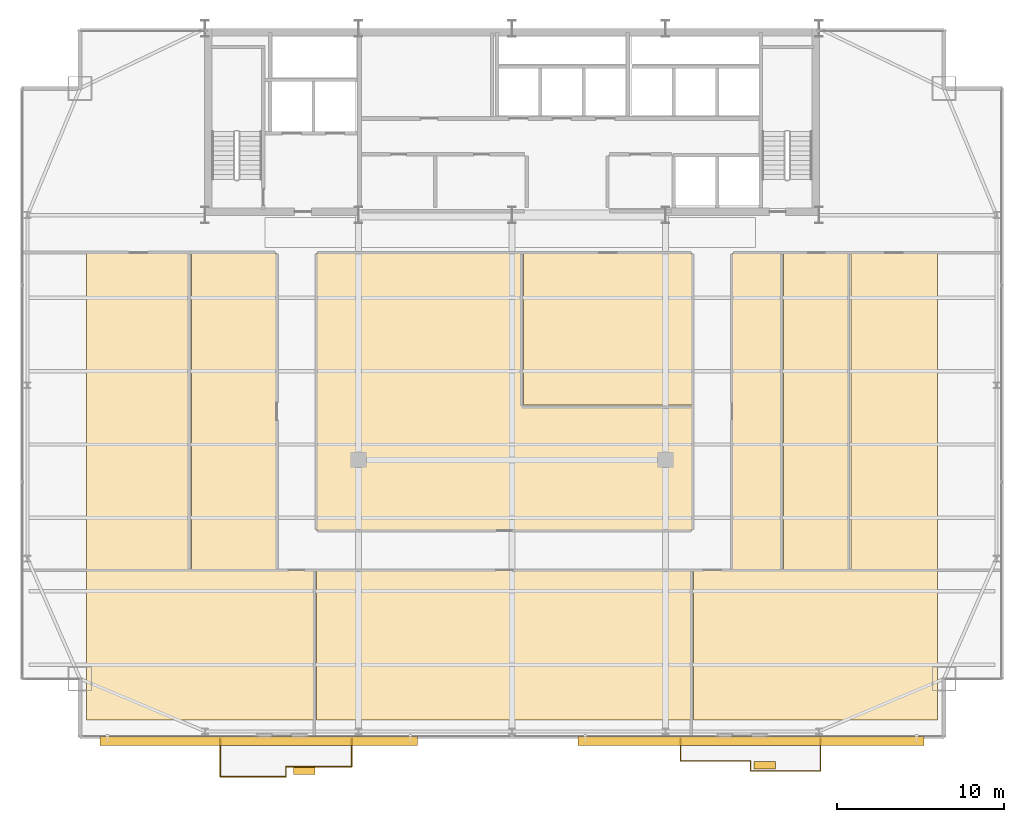
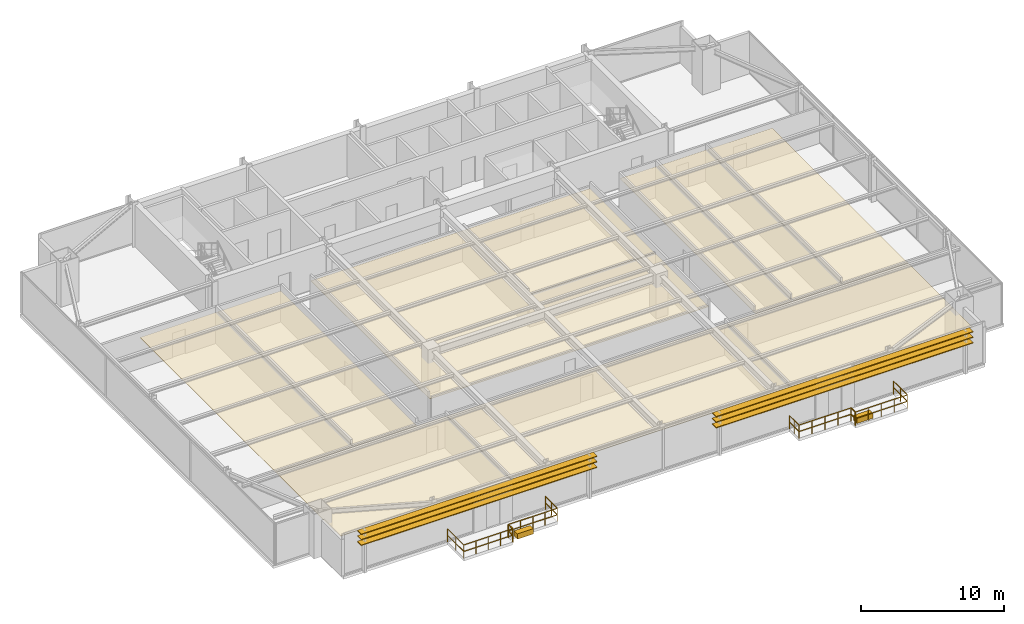
# One storey, part 31 of 32: 12 coverings, 10 railings, 6 shading devices.
"""IFC4 building model written with IfcOpenShell, lengths in metres."""

from ifc_helpers import new_model, si_unit, direction, frame, origin, origin_2d, place, context, subcontext, project, spatial, polyline, rectangle, outline, extrude, source, transform, mapped, material, layer, layer_set, type_object, type_shapes, element, save


model = new_model("IFC4")

# Units and contexts
model_context = context("Model", 3, precision=1e-05, world=origin(), true_north=direction((0.0, 1.0)))
body_context = subcontext(model_context, "Body", "Model", "MODEL_VIEW")
ifc_project = project(units=[si_unit("LENGTHUNIT", "METRE"), si_unit("AREAUNIT", "SQUARE_METRE"), si_unit("VOLUMEUNIT", "CUBIC_METRE"), si_unit("PLANEANGLEUNIT", "RADIAN"), si_unit("MASSUNIT", "GRAM", prefix="KILO")], contexts=[model_context])

# Site, building, storey
site_placement = place(None, origin())
site = spatial("IfcSite", under=ifc_project, at=site_placement, CompositionType="ELEMENT")
building_placement = place(site_placement, origin())
building = spatial("IfcBuilding", under=site, at=building_placement, Name="Varnel Quay Broadcast Tower", CompositionType="ELEMENT")
storey_placement = place(building_placement, frame((0.0, 0.0, 133.39990234375)))
storey = spatial("IfcBuildingStorey", under=building, at=storey_placement, Name="L32", CompositionType="ELEMENT", Elevation=133.39990234375)

# Coverings
ifc_material_1 = material(Name="Micro-Perforated Acoustic Ceiling Tile")
ifc_layer_1 = layer(ifc_material_1, 0.0400390625, Name="Micro-Perforated Acoustic Ceiling Tile")
ifc_layer_set_1 = layer_set([ifc_layer_1], Name="Micro-Perforated Acoustic Ceiling Tile")
covering_type_1 = type_object("IfcCoveringType", Name="Cov_AcousticCeiling", PredefinedType="CEILING", material=ifc_layer_set_1)
covering_1_placement = place(storey_placement, frame((0.0, 0.0, 2.580078125)))
element("IfcCovering", 1, at=covering_1_placement, inside=storey, type_object=covering_type_1, Name="L32 Bureau Office 1 Acoustic Ceiling", PredefinedType="CEILING", context=body_context, shape_type="SweptSolid", body=[
    extrude(outline(polyline([(8.485107421875, 5.324951171875), (22.215087890625, 5.324951171875), (22.215087890625, 14.284912109375), (8.485107421875, 14.284912109375), (8.485107421875, 5.324951171875)])), origin(), (0.0, 0.0, 1.0), 0.0400390625),
])
covering_2_placement = place(storey_placement, frame((0.0, 0.0, 2.580078125)))
element("IfcCovering", 2, at=covering_2_placement, inside=storey, type_object=covering_type_1, Name="L32 Reading Lounge 2 Acoustic Ceiling", PredefinedType="CEILING", context=body_context, shape_type="SweptSolid", body=[
    extrude(outline(polyline([(22.284912109375, 5.324951171875), (44.804931640625, 5.324951171875), (44.804931640625, 14.284912109375), (22.284912109375, 14.284912109375), (22.284912109375, 5.324951171875)])), origin(), (0.0, 0.0, 1.0), 0.0400390625),
])
covering_3_placement = place(storey_placement, frame((0.0, 0.0, 2.580078125)))
element("IfcCovering", 3, at=covering_3_placement, inside=storey, type_object=covering_type_1, Name="L32 Broadcast Seminar Room 3 Acoustic Ceiling", PredefinedType="CEILING", context=body_context, shape_type="SweptSolid", body=[
    extrude(outline(polyline([(44.875, 5.324951171875), (59.514892578125, 5.324951171875), (59.514892578125, 14.284912109375), (44.875, 14.284912109375), (44.875, 5.324951171875)])), origin(), (0.0, 0.0, 1.0), 0.0400390625),
])
covering_4_placement = place(storey_placement, frame((0.0, 0.0, 2.580078125)))
element("IfcCovering", 4, at=covering_4_placement, inside=storey, type_object=covering_type_1, Name="L32 Press Briefing Room 4 Acoustic Ceiling", PredefinedType="CEILING", context=body_context, shape_type="SweptSolid", body=[
    extrude(outline(polyline([(8.485107421875, 14.35498046875), (14.705078125, 14.35498046875), (14.705078125, 33.31494140625), (8.485107421875, 33.31494140625), (8.485107421875, 14.35498046875)])), origin(), (0.0, 0.0, 1.0), 0.0400390625),
])
covering_5_placement = place(storey_placement, frame((0.0, 0.0, 2.580078125)))
element("IfcCovering", 5, at=covering_5_placement, inside=storey, type_object=covering_type_1, Name="L32 Editorial Huddle Room 5 Acoustic Ceiling", PredefinedType="CEILING", context=body_context, shape_type="SweptSolid", body=[
    extrude(outline(polyline([(14.77490234375, 14.35498046875), (19.864990234375, 14.35498046875), (19.864990234375, 33.31494140625), (14.77490234375, 33.31494140625), (14.77490234375, 14.35498046875)])), origin(), (0.0, 0.0, 1.0), 0.0400390625),
])
covering_6_placement = place(storey_placement, frame((0.0, 0.0, 2.580078125)))
element("IfcCovering", 6, at=covering_6_placement, inside=storey, type_object=covering_type_1, Name="L32 Catering Kitchen 6 Acoustic Ceiling", PredefinedType="CEILING", context=body_context, shape_type="SweptSolid", body=[
    extrude(outline(polyline([(22.284912109375, 16.705078125), (44.804931640625, 16.705078125), (44.804931640625, 24.155029296875), (34.625, 24.155029296875), (34.625, 33.31494140625), (22.284912109375, 33.31494140625), (22.284912109375, 16.705078125)])), origin(), (0.0, 0.0, 1.0), 0.0400390625),
])
covering_7_placement = place(storey_placement, frame((0.0, 0.0, 2.580078125)))
element("IfcCovering", 7, at=covering_7_placement, inside=storey, type_object=covering_type_1, Name="L32 Press Briefing Room 7 Acoustic Ceiling", PredefinedType="CEILING", context=body_context, shape_type="SweptSolid", body=[
    extrude(outline(polyline([(34.695068359375, 24.22509765625), (44.804931640625, 24.22509765625), (44.804931640625, 33.31494140625), (34.695068359375, 33.31494140625), (34.695068359375, 24.22509765625)])), origin(), (0.0, 0.0, 1.0), 0.0400390625),
])
covering_8_placement = place(storey_placement, frame((0.0, 0.0, 2.580078125)))
element("IfcCovering", 8, at=covering_8_placement, inside=storey, type_object=covering_type_1, Name="L32 Bureau Office 8 Acoustic Ceiling", PredefinedType="CEILING", context=body_context, shape_type="SweptSolid", body=[
    extrude(outline(polyline([(47.22509765625, 14.35498046875), (50.195068359375, 14.35498046875), (50.195068359375, 33.31494140625), (47.22509765625, 33.31494140625), (47.22509765625, 14.35498046875)])), origin(), (0.0, 0.0, 1.0), 0.0400390625),
])
covering_9_placement = place(storey_placement, frame((0.0, 0.0, 2.580078125)))
element("IfcCovering", 9, at=covering_9_placement, inside=storey, type_object=covering_type_1, Name="L32 Reading Lounge 9 Acoustic Ceiling", PredefinedType="CEILING", context=body_context, shape_type="SweptSolid", body=[
    extrude(outline(polyline([(50.264892578125, 14.35498046875), (54.2451171875, 14.35498046875), (54.2451171875, 33.31494140625), (50.264892578125, 33.31494140625), (50.264892578125, 14.35498046875)])), origin(), (0.0, 0.0, 1.0), 0.0400390625),
])
covering_10_placement = place(storey_placement, frame((0.0, 0.0, 2.580078125)))
element("IfcCovering", 10, at=covering_10_placement, inside=storey, type_object=covering_type_1, Name="L32 Broadcast Seminar Room 10 Acoustic Ceiling", PredefinedType="CEILING", context=body_context, shape_type="SweptSolid", body=[
    extrude(outline(polyline([(54.31494140625, 14.35498046875), (59.514892578125, 14.35498046875), (59.514892578125, 33.31494140625), (54.31494140625, 33.31494140625), (54.31494140625, 14.35498046875)])), origin(), (0.0, 0.0, 1.0), 0.0400390625),
])

# Railings
ifc_material_2 = material(Name="Anodised Bronze Aluminium 6063-T6", Category="aluminium")
railing_type = type_object("IfcRailingType", Name="Rail_Balustrade1150", PredefinedType="BALUSTRADE", material=ifc_material_2)
railing_1_placement = place(storey_placement, frame((16.5, 1.93310546875, 0.0)))
element("IfcRailing", 11, at=railing_1_placement, inside=storey, type_object=railing_type, Name="L32 Terrace 1 Guard 1", PredefinedType="BALUSTRADE", context=body_context, shape_type="SweptSolid", body=[
    extrude(rectangle(XDim=0.048095703125, YDim=0.048095703125, at=origin_2d()), frame((0.0, 0.0, 1.1259765625), z_axis=(1.0, 0.0, 0.0), x_axis=(0.0, 1.0, 0.0)), (0.0, 0.0, 1.0), 3.949951171875),
    extrude(rectangle(XDim=0.048095703125, YDim=0.048095703125, at=origin_2d()), frame((0.0, 0.0, 0.574951171875), z_axis=(1.0, 0.0, 0.0), x_axis=(0.0, 1.0, 0.0)), (0.0, 0.0, 1.0), 3.949951171875),
    extrude(rectangle(XDim=0.0419921875, YDim=0.0419921875, at=origin_2d()), origin(), (0.0, 0.0, 1.0), 1.101806640625),
    extrude(rectangle(XDim=0.0419921875, YDim=0.0419921875, at=origin_2d()), frame((0.987548828125, 0.0, 0.0)), (0.0, 0.0, 1.0), 1.101806640625),
    extrude(rectangle(XDim=0.0419921875, YDim=0.0419921875, at=origin_2d()), frame((1.97509765625, 0.0, 0.0)), (0.0, 0.0, 1.0), 1.101806640625),
    extrude(rectangle(XDim=0.0419921875, YDim=0.0419921875, at=origin_2d()), frame((2.96240234375, 0.0, 0.0)), (0.0, 0.0, 1.0), 1.101806640625),
    extrude(rectangle(XDim=0.0419921875, YDim=0.0419921875, at=origin_2d()), frame((3.949951171875, 0.0, 0.0)), (0.0, 0.0, 1.0), 1.101806640625),
])
railing_2_placement = place(storey_placement, frame((20.449951171875, 1.93310546875, 0.0)))
element("IfcRailing", 12, at=railing_2_placement, inside=storey, type_object=railing_type, Name="L32 Terrace 1 Guard 2", PredefinedType="BALUSTRADE", context=body_context, shape_type="SweptSolid", body=[
    extrude(rectangle(XDim=0.048095703125, YDim=0.048095703125, at=origin_2d()), frame((0.0, 0.0, 1.1259765625), z_axis=(0.0, 1.0, 0.0), x_axis=(-1.0, 0.0, 0.0)), (0.0, 0.0, 1.0), 0.599853515625),
    extrude(rectangle(XDim=0.048095703125, YDim=0.048095703125, at=origin_2d()), frame((0.0, 0.0, 0.574951171875), z_axis=(0.0, 1.0, 0.0), x_axis=(-1.0, 0.0, 0.0)), (0.0, 0.0, 1.0), 0.599853515625),
    extrude(rectangle(XDim=0.0419921875, YDim=0.0419921875, at=origin_2d()), origin(), (0.0, 0.0, 1.0), 1.101806640625),
    extrude(rectangle(XDim=0.0419921875, YDim=0.0419921875, at=origin_2d()), frame((0.0, 0.599853515625, 0.0)), (0.0, 0.0, 1.0), 1.101806640625),
])
railing_3_placement = place(storey_placement, frame((20.449951171875, 2.532958984375, 0.0)))
element("IfcRailing", 13, at=railing_3_placement, inside=storey, type_object=railing_type, Name="L32 Terrace 1 Guard 3", PredefinedType="BALUSTRADE", context=body_context, shape_type="SweptSolid", body=[
    extrude(rectangle(XDim=0.048095703125, YDim=0.048095703125, at=origin_2d()), frame((0.0, 0.0, 1.1259765625), z_axis=(1.0, 0.0, 0.0), x_axis=(0.0, 1.0, 0.0)), (0.0, 0.0, 1.0), 3.949951171875),
    extrude(rectangle(XDim=0.048095703125, YDim=0.048095703125, at=origin_2d()), frame((0.0, 0.0, 0.574951171875), z_axis=(1.0, 0.0, 0.0), x_axis=(0.0, 1.0, 0.0)), (0.0, 0.0, 1.0), 3.949951171875),
    extrude(rectangle(XDim=0.0419921875, YDim=0.0419921875, at=origin_2d()), origin(), (0.0, 0.0, 1.0), 1.101806640625),
    extrude(rectangle(XDim=0.0419921875, YDim=0.0419921875, at=origin_2d()), frame((0.987548828125, 0.0, 0.0)), (0.0, 0.0, 1.0), 1.101806640625),
    extrude(rectangle(XDim=0.0419921875, YDim=0.0419921875, at=origin_2d()), frame((1.97509765625, 0.0, 0.0)), (0.0, 0.0, 1.0), 1.101806640625),
    extrude(rectangle(XDim=0.0419921875, YDim=0.0419921875, at=origin_2d()), frame((2.96240234375, 0.0, 0.0)), (0.0, 0.0, 1.0), 1.101806640625),
    extrude(rectangle(XDim=0.0419921875, YDim=0.0419921875, at=origin_2d()), frame((3.949951171875, 0.0, 0.0)), (0.0, 0.0, 1.0), 1.101806640625),
])
railing_4_placement = place(storey_placement, frame((24.39990234375, 2.532958984375, 0.0)))
element("IfcRailing", 14, at=railing_4_placement, inside=storey, type_object=railing_type, Name="L32 Terrace 1 Guard 4", PredefinedType="BALUSTRADE", context=body_context, shape_type="SweptSolid", body=[
    extrude(rectangle(XDim=0.048095703125, YDim=0.048095703125, at=origin_2d()), frame((0.0, 0.0, 1.1259765625), z_axis=(0.0, 1.0, 0.0), x_axis=(-1.0, 0.0, 0.0)), (0.0, 0.0, 1.0), 1.6669921875),
    extrude(rectangle(XDim=0.048095703125, YDim=0.048095703125, at=origin_2d()), frame((0.0, 0.0, 0.574951171875), z_axis=(0.0, 1.0, 0.0), x_axis=(-1.0, 0.0, 0.0)), (0.0, 0.0, 1.0), 1.6669921875),
    extrude(rectangle(XDim=0.0419921875, YDim=0.0419921875, at=origin_2d()), origin(), (0.0, 0.0, 1.0), 1.101806640625),
    extrude(rectangle(XDim=0.0419921875, YDim=0.0419921875, at=origin_2d()), frame((0.0, 0.83349609375, 0.0)), (0.0, 0.0, 1.0), 1.101806640625),
    extrude(rectangle(XDim=0.0419921875, YDim=0.0419921875, at=origin_2d()), frame((0.0, 1.6669921875, 0.0)), (0.0, 0.0, 1.0), 1.101806640625),
])
railing_5_placement = place(storey_placement, frame((16.5, 4.199951171875, 0.0)))
element("IfcRailing", 15, at=railing_5_placement, inside=storey, type_object=railing_type, Name="L32 Terrace 1 Guard 6", PredefinedType="BALUSTRADE", context=body_context, shape_type="SweptSolid", body=[
    extrude(rectangle(XDim=0.048095703125, YDim=0.048095703125, at=origin_2d()), frame((0.0, 0.0, 1.1259765625), z_axis=(0.0, -1.0, 0.0), x_axis=(1.0, 0.0, 0.0)), (0.0, 0.0, 1.0), 2.266845703125),
    extrude(rectangle(XDim=0.048095703125, YDim=0.048095703125, at=origin_2d()), frame((0.0, 0.0, 0.574951171875), z_axis=(0.0, -1.0, 0.0), x_axis=(1.0, 0.0, 0.0)), (0.0, 0.0, 1.0), 2.266845703125),
    extrude(rectangle(XDim=0.0419921875, YDim=0.0419921875, at=origin_2d()), origin(), (0.0, 0.0, 1.0), 1.101806640625),
    extrude(rectangle(XDim=0.0419921875, YDim=0.0419921875, at=origin_2d()), frame((0.0, -1.13330078125, 0.0)), (0.0, 0.0, 1.0), 1.101806640625),
    extrude(rectangle(XDim=0.0419921875, YDim=0.0419921875, at=origin_2d()), frame((0.0, -2.266845703125, 0.0)), (0.0, 0.0, 1.0), 1.101806640625),
])
railing_6_placement = place(storey_placement, frame((44.10009765625, 2.866943359375, 0.0)))
element("IfcRailing", 16, at=railing_6_placement, inside=storey, type_object=railing_type, Name="L32 Terrace 2 Guard 1", PredefinedType="BALUSTRADE", context=body_context, shape_type="SweptSolid", body=[
    extrude(rectangle(XDim=0.048095703125, YDim=0.048095703125, at=origin_2d()), frame((0.0, 0.0, 1.1259765625), z_axis=(1.0, 0.0, 0.0), x_axis=(0.0, 1.0, 0.0)), (0.0, 0.0, 1.0), 4.199951171875),
    extrude(rectangle(XDim=0.048095703125, YDim=0.048095703125, at=origin_2d()), frame((0.0, 0.0, 0.574951171875), z_axis=(1.0, 0.0, 0.0), x_axis=(0.0, 1.0, 0.0)), (0.0, 0.0, 1.0), 4.199951171875),
    extrude(rectangle(XDim=0.0419921875, YDim=0.0419921875, at=origin_2d()), origin(), (0.0, 0.0, 1.0), 1.101806640625),
    extrude(rectangle(XDim=0.0419921875, YDim=0.0419921875, at=origin_2d()), frame((1.050048828125, 0.0, 0.0)), (0.0, 0.0, 1.0), 1.101806640625),
    extrude(rectangle(XDim=0.0419921875, YDim=0.0419921875, at=origin_2d()), frame((2.10009765625, 0.0, 0.0)), (0.0, 0.0, 1.0), 1.101806640625),
    extrude(rectangle(XDim=0.0419921875, YDim=0.0419921875, at=origin_2d()), frame((3.14990234375, 0.0, 0.0)), (0.0, 0.0, 1.0), 1.101806640625),
    extrude(rectangle(XDim=0.0419921875, YDim=0.0419921875, at=origin_2d()), frame((4.199951171875, 0.0, 0.0)), (0.0, 0.0, 1.0), 1.101806640625),
])
railing_7_placement = place(storey_placement, frame((48.300048828125, 2.866943359375, 0.0)))
element("IfcRailing", 17, at=railing_7_placement, inside=storey, type_object=railing_type, Name="L32 Terrace 2 Guard 2", PredefinedType="BALUSTRADE", context=body_context, shape_type="SweptSolid", body=[
    extrude(rectangle(XDim=0.048095703125, YDim=0.048095703125, at=origin_2d()), frame((0.0, 0.0, 1.1259765625), z_axis=(0.0, -1.0, 0.0), x_axis=(1.0, 0.0, 0.0)), (0.0, 0.0, 1.0), 0.599853515625),
    extrude(rectangle(XDim=0.048095703125, YDim=0.048095703125, at=origin_2d()), frame((0.0, 0.0, 0.574951171875), z_axis=(0.0, -1.0, 0.0), x_axis=(1.0, 0.0, 0.0)), (0.0, 0.0, 1.0), 0.599853515625),
    extrude(rectangle(XDim=0.0419921875, YDim=0.0419921875, at=origin_2d()), origin(), (0.0, 0.0, 1.0), 1.101806640625),
    extrude(rectangle(XDim=0.0419921875, YDim=0.0419921875, at=origin_2d()), frame((0.0, -0.599853515625, 0.0)), (0.0, 0.0, 1.0), 1.101806640625),
])
railing_8_placement = place(storey_placement, frame((48.300048828125, 2.26708984375, 0.0)))
element("IfcRailing", 18, at=railing_8_placement, inside=storey, type_object=railing_type, Name="L32 Terrace 2 Guard 3", PredefinedType="BALUSTRADE", context=body_context, shape_type="SweptSolid", body=[
    extrude(rectangle(XDim=0.048095703125, YDim=0.048095703125, at=origin_2d()), frame((0.0, 0.0, 1.1259765625), z_axis=(1.0, 0.0, 0.0), x_axis=(0.0, 1.0, 0.0)), (0.0, 0.0, 1.0), 4.199951171875),
    extrude(rectangle(XDim=0.048095703125, YDim=0.048095703125, at=origin_2d()), frame((0.0, 0.0, 0.574951171875), z_axis=(1.0, 0.0, 0.0), x_axis=(0.0, 1.0, 0.0)), (0.0, 0.0, 1.0), 4.199951171875),
    extrude(rectangle(XDim=0.0419921875, YDim=0.0419921875, at=origin_2d()), origin(), (0.0, 0.0, 1.0), 1.101806640625),
    extrude(rectangle(XDim=0.0419921875, YDim=0.0419921875, at=origin_2d()), frame((1.050048828125, 0.0, 0.0)), (0.0, 0.0, 1.0), 1.101806640625),
    extrude(rectangle(XDim=0.0419921875, YDim=0.0419921875, at=origin_2d()), frame((2.10009765625, 0.0, 0.0)), (0.0, 0.0, 1.0), 1.101806640625),
    extrude(rectangle(XDim=0.0419921875, YDim=0.0419921875, at=origin_2d()), frame((3.14990234375, 0.0, 0.0)), (0.0, 0.0, 1.0), 1.101806640625),
    extrude(rectangle(XDim=0.0419921875, YDim=0.0419921875, at=origin_2d()), frame((4.199951171875, 0.0, 0.0)), (0.0, 0.0, 1.0), 1.101806640625),
])
railing_9_placement = place(storey_placement, frame((52.5, 2.26708984375, 0.0)))
element("IfcRailing", 19, at=railing_9_placement, inside=storey, type_object=railing_type, Name="L32 Terrace 2 Guard 4", PredefinedType="BALUSTRADE", context=body_context, shape_type="SweptSolid", body=[
    extrude(rectangle(XDim=0.048095703125, YDim=0.048095703125, at=origin_2d()), frame((0.0, 0.0, 1.1259765625), z_axis=(0.0, 1.0, 0.0), x_axis=(-1.0, 0.0, 0.0)), (0.0, 0.0, 1.0), 1.932861328125),
    extrude(rectangle(XDim=0.048095703125, YDim=0.048095703125, at=origin_2d()), frame((0.0, 0.0, 0.574951171875), z_axis=(0.0, 1.0, 0.0), x_axis=(-1.0, 0.0, 0.0)), (0.0, 0.0, 1.0), 1.932861328125),
    extrude(rectangle(XDim=0.0419921875, YDim=0.0419921875, at=origin_2d()), origin(), (0.0, 0.0, 1.0), 1.101806640625),
    extrude(rectangle(XDim=0.0419921875, YDim=0.0419921875, at=origin_2d()), frame((0.0, 0.96630859375, 0.0)), (0.0, 0.0, 1.0), 1.101806640625),
    extrude(rectangle(XDim=0.0419921875, YDim=0.0419921875, at=origin_2d()), frame((0.0, 1.932861328125, 0.0)), (0.0, 0.0, 1.0), 1.101806640625),
])
railing_10_placement = place(storey_placement, frame((44.10009765625, 4.199951171875, 0.0)))
element("IfcRailing", 20, at=railing_10_placement, inside=storey, type_object=railing_type, Name="L32 Terrace 2 Guard 6", PredefinedType="BALUSTRADE", context=body_context, shape_type="SweptSolid", body=[
    extrude(rectangle(XDim=0.048095703125, YDim=0.048095703125, at=origin_2d()), frame((0.0, 0.0, 1.1259765625), z_axis=(0.0, -1.0, 0.0), x_axis=(1.0, 0.0, 0.0)), (0.0, 0.0, 1.0), 1.3330078125),
    extrude(rectangle(XDim=0.048095703125, YDim=0.048095703125, at=origin_2d()), frame((0.0, 0.0, 0.574951171875), z_axis=(0.0, -1.0, 0.0), x_axis=(1.0, 0.0, 0.0)), (0.0, 0.0, 1.0), 1.3330078125),
    extrude(rectangle(XDim=0.0419921875, YDim=0.0419921875, at=origin_2d()), origin(), (0.0, 0.0, 1.0), 1.101806640625),
    extrude(rectangle(XDim=0.0419921875, YDim=0.0419921875, at=origin_2d()), frame((0.0, -0.66650390625, 0.0)), (0.0, 0.0, 1.0), 1.101806640625),
    extrude(rectangle(XDim=0.0419921875, YDim=0.0419921875, at=origin_2d()), frame((0.0, -1.3330078125, 0.0)), (0.0, 0.0, 1.0), 1.101806640625),
])

# Coverings
ifc_material_3 = material(Name="Bronze-Terracotta Extruded Ceramic Blade", Category="masonry")
ifc_layer_2 = layer(ifc_material_3, 0.449951171875, Name="Bronze-Terracotta Extruded Ceramic Blade")
ifc_layer_set_2 = layer_set([ifc_layer_2], Name="Bronze-Terracotta Extruded Ceramic Blade")
covering_type_2 = type_object("IfcCoveringType", Name="Cov_BronzePlanter", PredefinedType="CLADDING", material=ifc_layer_set_2)
shared_shape_1 = source(origin(), body_context, "Body", "SweptSolid", [
    extrude(rectangle(XDim=1.300048828125, YDim=0.449951171875, at=origin_2d()), origin(), (0.0, 0.0, 1.0), 0.449951171875),
])
type_shapes(covering_type_2, [shared_shape_1])
for number, where, z_axis, x_axis, name in (
    (21, (21.550048828125, 2.282958984375, 0.0), (0.0, 0.0, 1.0), (1.0, 0.0, 0.0), "L32 Terrace 1 Bronze Planter"),
    (22, (49.14990234375, 2.616943359375, 0.0), (0.0, 0.0, 1.0), (1.0, 0.0, 0.0), "L32 Terrace 2 Bronze Planter"),
):
    element("IfcCovering", number, at=place(storey_placement, frame(where, z_axis=z_axis, x_axis=x_axis)), inside=storey, type_object=covering_type_2, Name=name, PredefinedType="CLADDING", context=body_context, shape_type="MappedRepresentation", body=[
        mapped(shared_shape_1, transform((0.0, 0.0, 0.0), x_axis=(1.0, 0.0, 0.0), y_axis=(0.0, 1.0, 0.0), z_axis=(0.0, 0.0, 1.0), scale=1.0)),
    ])

# Shading devices
ifc_layer_3 = layer(ifc_material_3, 0.06494140625, Name="Bronze-Terracotta Extruded Ceramic Blade")
ifc_layer_set_3 = layer_set([ifc_layer_3], Name="Bronze-Terracotta Extruded Ceramic Blade")
shading_device_type = type_object("IfcShadingDeviceType", Name="Shade_LouvreBlade550", PredefinedType="JALOUSIE", material=ifc_layer_set_3)
shared_shape_2 = source(origin(), body_context, "Body", "SweptSolid", [
    extrude(rectangle(XDim=20.756103515625, YDim=0.550048828125, at=origin_2d()), origin(), (0.0, 0.0, 1.0), 0.06494140625),
])
for number, where, z_axis, x_axis, name in (
    (23, (48.322021484375, 4.06005859375, 2.447509765625), (0.0, 0.0, 1.0), (1.0, 0.0, 0.0), "L32 Lobe 2 Horizontal Louvre Blade 1"),
    (24, (48.322021484375, 4.06005859375, 2.927734375), (0.0, 0.0, 1.0), (1.0, 0.0, 0.0), "L32 Lobe 2 Horizontal Louvre Blade 2"),
    (25, (48.322021484375, 4.06005859375, 3.3876953125), (0.0, 0.0, 1.0), (1.0, 0.0, 0.0), "L32 Lobe 2 Horizontal Louvre Blade 3"),
):
    element("IfcShadingDevice", number, at=place(storey_placement, frame(where, z_axis=z_axis, x_axis=x_axis)), inside=storey, type_object=shading_device_type, Name=name, PredefinedType="JALOUSIE", context=body_context, shape_type="MappedRepresentation", body=[
        mapped(shared_shape_2, transform((0.0, 0.0, 0.0), x_axis=(1.0, 0.0, 0.0), y_axis=(0.0, 1.0, 0.0), z_axis=(0.0, 0.0, 1.0), scale=1.0)),
    ])
shared_shape_3 = source(origin(), body_context, "Body", "SweptSolid", [
    extrude(rectangle(XDim=19.0439453125, YDim=0.550048828125, at=origin_2d()), origin(), (0.0, 0.0, 1.0), 0.06494140625),
])
type_shapes(shading_device_type, [shared_shape_2, shared_shape_3])
for number, where, z_axis, x_axis, name in (
    (26, (18.822021484375, 4.06005859375, 2.447509765625), (0.0, 0.0, 1.0), (1.0, 0.0, 0.0), "L32 Lobe 1 Horizontal Louvre Blade 1"),
    (27, (18.822021484375, 4.06005859375, 2.927734375), (0.0, 0.0, 1.0), (1.0, 0.0, 0.0), "L32 Lobe 1 Horizontal Louvre Blade 2"),
    (28, (18.822021484375, 4.06005859375, 3.3876953125), (0.0, 0.0, 1.0), (1.0, 0.0, 0.0), "L32 Lobe 1 Horizontal Louvre Blade 3"),
):
    element("IfcShadingDevice", number, at=place(storey_placement, frame(where, z_axis=z_axis, x_axis=x_axis)), inside=storey, type_object=shading_device_type, Name=name, PredefinedType="JALOUSIE", context=body_context, shape_type="MappedRepresentation", body=[
        mapped(shared_shape_3, transform((0.0, 0.0, 0.0), x_axis=(1.0, 0.0, 0.0), y_axis=(0.0, 1.0, 0.0), z_axis=(0.0, 0.0, 1.0), scale=1.0)),
    ])

save(model, "model.ifc")
